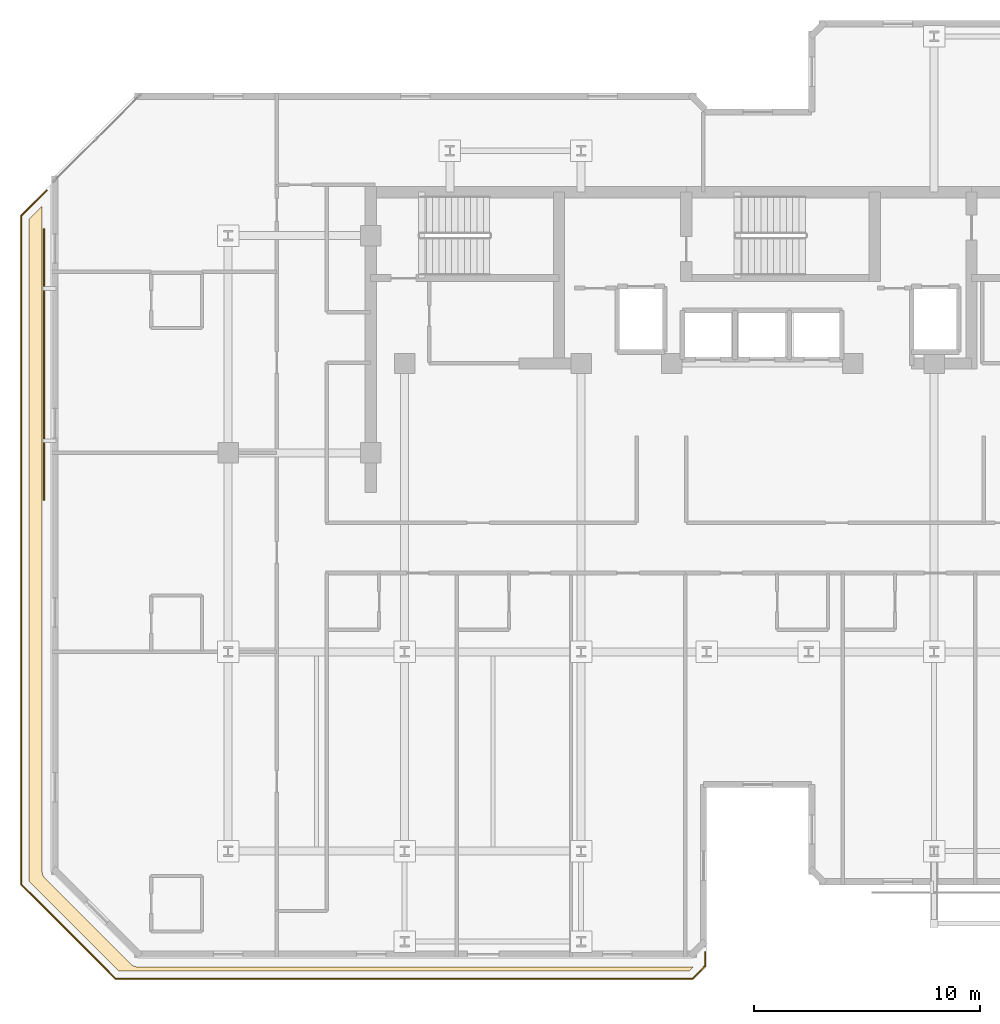
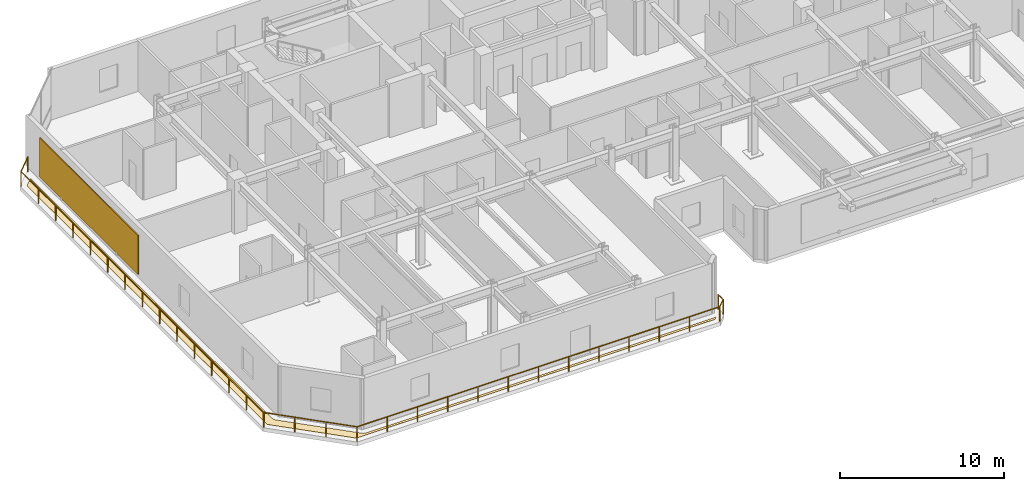
# One storey, part 10 of 13: 2 railings, 1 covering, 1 shading device.
"""IFC4 building model written with IfcOpenShell, lengths in metres."""

from ifc_helpers import new_model, si_unit, direction, frame, origin, origin_2d, place, context, subcontext, project, spatial, polyline, rectangle, circle, outline, extrude, material, layer, layer_set, type_object, element, save


model = new_model("IFC4")

# Units and contexts
model_context = context("Model", 3, precision=1e-05, world=origin(), true_north=direction((0.0, 1.0)))
body_context = subcontext(model_context, "Body", "Model", "MODEL_VIEW")
ifc_project = project(units=[si_unit("LENGTHUNIT", "METRE"), si_unit("AREAUNIT", "SQUARE_METRE"), si_unit("VOLUMEUNIT", "CUBIC_METRE"), si_unit("PLANEANGLEUNIT", "RADIAN"), si_unit("MASSUNIT", "GRAM", prefix="KILO")], contexts=[model_context])

# Site, building, storey
site_placement = place(None, origin())
site = spatial("IfcSite", under=ifc_project, at=site_placement, CompositionType="ELEMENT")
building_placement = place(site_placement, origin())
building = spatial("IfcBuilding", under=site, at=building_placement, Name="Kestravale Grand Hotel", CompositionType="ELEMENT")
storey_placement = place(building_placement, frame((0.0, 0.0, 245.39990234375)))
storey = spatial("IfcBuildingStorey", under=building, at=storey_placement, Name="L61", CompositionType="ELEMENT", Elevation=245.39990234375)

# Covering
ifc_material_1 = material(Name="TPO reflective roofing membrane and rigid mineral-wool insulation", Category="other")
ifc_layer_1 = layer(ifc_material_1, 0.1201171875)
ifc_layer_set_1 = layer_set([ifc_layer_1], Name="COV-ROOF-MEM")
covering_type = type_object("IfcCoveringType", Name="COV-ROOF-MEM", PredefinedType="ROOFING", material=ifc_layer_set_1)
covering_placement = place(storey_placement, frame((0.0, 0.0, -0.039794921875)))
element("IfcCovering", 1, at=covering_placement, inside=storey, type_object=covering_type, Name="L61 terrace waterproof membrane assembly", PredefinedType="ROOFING", context=body_context, shape_type="SweptSolid", body=[
    extrude(outline(polyline([(36.164794921875, 6.080322265625), (35.984375, 5.89990234375), (10.765625, 5.89990234375), (6.800048828125, 9.86572265625), (6.800048828125, 39.13427734375), (7.3798828125, 39.71435546875), (7.3798828125, 10.300048828125), (7.380615234375, 10.280029296875), (7.380615234375, 10.278076171875), (7.385009765625, 10.235595703125), (7.38525390625, 10.233642578125), (7.3935546875, 10.1943359375), (7.39404296875, 10.1923828125), (7.3994140625, 10.173583984375), (7.400146484375, 10.171875), (7.41259765625, 10.137939453125), (7.427978515625, 10.10498046875), (7.428955078125, 10.103515625), (7.4375, 10.087890625), (7.438720703125, 10.086181640625), (7.453857421875, 10.062255859375), (7.454833984375, 10.060791015625), (7.47705078125, 10.031494140625), (7.501708984375, 10.00439453125), (7.503173828125, 10.003173828125), (11.302978515625, 6.203125), (11.304443359375, 6.20166015625), (11.33154296875, 6.177001953125), (11.360595703125, 6.15478515625), (11.3623046875, 6.15380859375), (11.385986328125, 6.138671875), (11.3876953125, 6.1376953125), (11.4033203125, 6.12890625), (11.405029296875, 6.1279296875), (11.43798828125, 6.112548828125), (11.4716796875, 6.10009765625), (11.4736328125, 6.099609375), (11.492431640625, 6.093994140625), (11.494384765625, 6.093505859375), (11.53369140625, 6.085205078125), (11.53564453125, 6.0849609375), (11.577880859375, 6.08056640625), (11.580078125, 6.08056640625), (11.60009765625, 6.080078125), (36.14990234375, 6.080078125), (36.164794921875, 6.080322265625)])), origin(), (0.0, 0.0, 1.0), 0.039794921875),
])

# Railings
ifc_material_2 = material(Name="Champagne-bronze stainless steel and laminated glass guard", Category="steel")
railing_type = type_object("IfcRailingType", Name="RL-EXT-1100", PredefinedType="GUARDRAIL", material=ifc_material_2)
railing_1_placement = place(storey_placement, frame((36.68994140625, 6.125, 0.0)))
element("IfcRailing", 2, at=railing_1_placement, inside=storey, type_object=railing_type, Name="L61 outdoor terrace guard 1", PredefinedType="GUARDRAIL", context=body_context, shape_type="SweptSolid", body=[
    extrude(circle(Radius=0.02392578125, at=origin_2d()), frame((0.0, 0.0, 1.09619140625), z_axis=(-0.707106781187, -0.707106781187, 0.0), x_axis=(0.707106781187, -0.707106781187, 0.0)), (0.0, 0.0, 1.0), 0.798828125),
    extrude(circle(Radius=0.02392578125, at=origin_2d()), frame((-0.56494140625, -0.56494140625, 1.09619140625), z_axis=(-1.0, 0.0, 0.0), x_axis=(0.0, -1.0, 0.0)), (0.0, 0.0, 1.0), 25.5),
    extrude(circle(Radius=0.02392578125, at=origin_2d()), frame((-26.06494140625, -0.56494140625, 1.09619140625), z_axis=(-0.707127505605, 0.707086056161, 0.0), x_axis=(-0.707086056161, -0.707127505605, 0.0)), (0.0, 0.0, 1.0), 5.89013671875),
    extrude(circle(Radius=0.02392578125, at=origin_2d()), frame((-30.22998046875, 3.599853515625, 1.09619140625), z_axis=(0.0, 1.0, 0.0), x_axis=(-1.0, 0.0, 0.0)), (0.0, 0.0, 1.0), 29.55029296875),
    extrude(circle(Radius=0.02392578125, at=origin_2d()), frame((-30.22998046875, 33.150146484375, 1.09619140625), z_axis=(0.707183845845, 0.707029708128, 0.0), x_axis=(-0.707029708128, 0.707183845845, 0.0)), (0.0, 0.0, 1.0), 1.583984375),
    extrude(circle(Radius=0.02099609375, at=origin_2d()), origin(), (0.0, 0.0, 1.0), 1.072021484375),
    extrude(circle(Radius=0.02099609375, at=origin_2d()), frame((-0.56494140625, -0.56494140625, 0.0)), (0.0, 0.0, 1.0), 1.072021484375),
    extrude(circle(Radius=0.02099609375, at=origin_2d()), frame((-2.68994140625, -0.56494140625, 0.0)), (0.0, 0.0, 1.0), 1.072021484375),
    extrude(circle(Radius=0.02099609375, at=origin_2d()), frame((-4.81494140625, -0.56494140625, 0.0)), (0.0, 0.0, 1.0), 1.072021484375),
    extrude(circle(Radius=0.02099609375, at=origin_2d()), frame((-6.93994140625, -0.56494140625, 0.0)), (0.0, 0.0, 1.0), 1.072021484375),
    extrude(circle(Radius=0.02099609375, at=origin_2d()), frame((-9.06494140625, -0.56494140625, 0.0)), (0.0, 0.0, 1.0), 1.072021484375),
    extrude(circle(Radius=0.02099609375, at=origin_2d()), frame((-11.18994140625, -0.56494140625, 0.0)), (0.0, 0.0, 1.0), 1.072021484375),
    extrude(circle(Radius=0.02099609375, at=origin_2d()), frame((-13.31494140625, -0.56494140625, 0.0)), (0.0, 0.0, 1.0), 1.072021484375),
    extrude(circle(Radius=0.02099609375, at=origin_2d()), frame((-15.43994140625, -0.56494140625, 0.0)), (0.0, 0.0, 1.0), 1.072021484375),
    extrude(circle(Radius=0.02099609375, at=origin_2d()), frame((-17.56494140625, -0.56494140625, 0.0)), (0.0, 0.0, 1.0), 1.072021484375),
    extrude(circle(Radius=0.02099609375, at=origin_2d()), frame((-19.68994140625, -0.56494140625, 0.0)), (0.0, 0.0, 1.0), 1.072021484375),
    extrude(circle(Radius=0.02099609375, at=origin_2d()), frame((-21.81494140625, -0.56494140625, 0.0)), (0.0, 0.0, 1.0), 1.072021484375),
    extrude(circle(Radius=0.02099609375, at=origin_2d()), frame((-23.93994140625, -0.56494140625, 0.0)), (0.0, 0.0, 1.0), 1.072021484375),
    extrude(circle(Radius=0.02099609375, at=origin_2d()), frame((-26.06494140625, -0.56494140625, 0.0)), (0.0, 0.0, 1.0), 1.072021484375),
    extrude(circle(Radius=0.02099609375, at=origin_2d()), frame((-27.453369140625, 0.8232421875, 0.0)), (0.0, 0.0, 1.0), 1.072021484375),
    extrude(circle(Radius=0.02099609375, at=origin_2d()), frame((-28.841552734375, 2.211669921875, 0.0)), (0.0, 0.0, 1.0), 1.072021484375),
    extrude(circle(Radius=0.02099609375, at=origin_2d()), frame((-30.22998046875, 3.599853515625, 0.0)), (0.0, 0.0, 1.0), 1.072021484375),
    extrude(circle(Radius=0.02099609375, at=origin_2d()), frame((-30.22998046875, 5.710693359375, 0.0)), (0.0, 0.0, 1.0), 1.072021484375),
    extrude(circle(Radius=0.02099609375, at=origin_2d()), frame((-30.22998046875, 7.8212890625, 0.0)), (0.0, 0.0, 1.0), 1.072021484375),
    extrude(circle(Radius=0.02099609375, at=origin_2d()), frame((-30.22998046875, 9.93212890625, 0.0)), (0.0, 0.0, 1.0), 1.072021484375),
    extrude(circle(Radius=0.02099609375, at=origin_2d()), frame((-30.22998046875, 12.042724609375, 0.0)), (0.0, 0.0, 1.0), 1.072021484375),
    extrude(circle(Radius=0.02099609375, at=origin_2d()), frame((-30.22998046875, 14.153564453125, 0.0)), (0.0, 0.0, 1.0), 1.072021484375),
    extrude(circle(Radius=0.02099609375, at=origin_2d()), frame((-30.22998046875, 16.26416015625, 0.0)), (0.0, 0.0, 1.0), 1.072021484375),
    extrude(circle(Radius=0.02099609375, at=origin_2d()), frame((-30.22998046875, 18.375, 0.0)), (0.0, 0.0, 1.0), 1.072021484375),
    extrude(circle(Radius=0.02099609375, at=origin_2d()), frame((-30.22998046875, 20.48583984375, 0.0)), (0.0, 0.0, 1.0), 1.072021484375),
    extrude(circle(Radius=0.02099609375, at=origin_2d()), frame((-30.22998046875, 22.596435546875, 0.0)), (0.0, 0.0, 1.0), 1.072021484375),
    extrude(circle(Radius=0.02099609375, at=origin_2d()), frame((-30.22998046875, 24.707275390625, 0.0)), (0.0, 0.0, 1.0), 1.072021484375),
    extrude(circle(Radius=0.02099609375, at=origin_2d()), frame((-30.22998046875, 26.81787109375, 0.0)), (0.0, 0.0, 1.0), 1.072021484375),
    extrude(circle(Radius=0.02099609375, at=origin_2d()), frame((-30.22998046875, 28.9287109375, 0.0)), (0.0, 0.0, 1.0), 1.072021484375),
    extrude(circle(Radius=0.02099609375, at=origin_2d()), frame((-30.22998046875, 31.039306640625, 0.0)), (0.0, 0.0, 1.0), 1.072021484375),
    extrude(circle(Radius=0.02099609375, at=origin_2d()), frame((-30.22998046875, 33.150146484375, 0.0)), (0.0, 0.0, 1.0), 1.072021484375),
    extrude(circle(Radius=0.02099609375, at=origin_2d()), frame((-29.10986328125, 34.27001953125, 0.0)), (0.0, 0.0, 1.0), 1.072021484375),
])
railing_2_placement = place(storey_placement, frame((36.68994140625, 6.72900390625, 0.0)))
element("IfcRailing", 3, at=railing_2_placement, inside=storey, type_object=railing_type, Name="L61 outdoor terrace guard 2", PredefinedType="GUARDRAIL", context=body_context, shape_type="SweptSolid", body=[
    extrude(circle(Radius=0.02392578125, at=origin_2d()), frame((0.0, 0.0, 1.09619140625), z_axis=(0.0, -1.0, 0.0), x_axis=(1.0, 0.0, 0.0)), (0.0, 0.0, 1.0), 0.60400390625),
    extrude(circle(Radius=0.02099609375, at=origin_2d()), origin(), (0.0, 0.0, 1.0), 1.072021484375),
    extrude(circle(Radius=0.02099609375, at=origin_2d()), frame((0.0, -0.60400390625, 0.0)), (0.0, 0.0, 1.0), 1.072021484375),
])

# Shading device
ifc_material_3 = material(Name="Perforated champagne-bronze aluminium and ceramic solar screen", Category="aluminium")
ifc_layer_2 = layer(ifc_material_3, 0.06494140625)
ifc_layer_set_2 = layer_set([ifc_layer_2], Name="SHD-SCR-CHEV")
shading_device_type = type_object("IfcShadingDeviceType", Name="SHD-SCR-CHEV", PredefinedType="USERDEFINED", material=ifc_layer_set_2)
shading_device_placement = place(storey_placement, frame((7.4599609375, 32.699951171875, 0.7001953125), z_axis=(0.0, 0.0, 1.0), x_axis=(0.0, -1.0, 0.0)))
element("IfcShadingDevice", 4, at=shading_device_placement, inside=storey, type_object=shading_device_type, Name="L61 Perforated bronze ceramic chevron solar screen SCR-L61-19", ObjectType="SCREEN", PredefinedType="USERDEFINED", context=body_context, shape_type="SweptSolid", body=[
    extrude(rectangle(XDim=12.0, YDim=0.06494140625, at=origin_2d()), origin(), (0.0, 0.0, 1.0), 2.909912109375),
])

save(model, "model.ifc")
